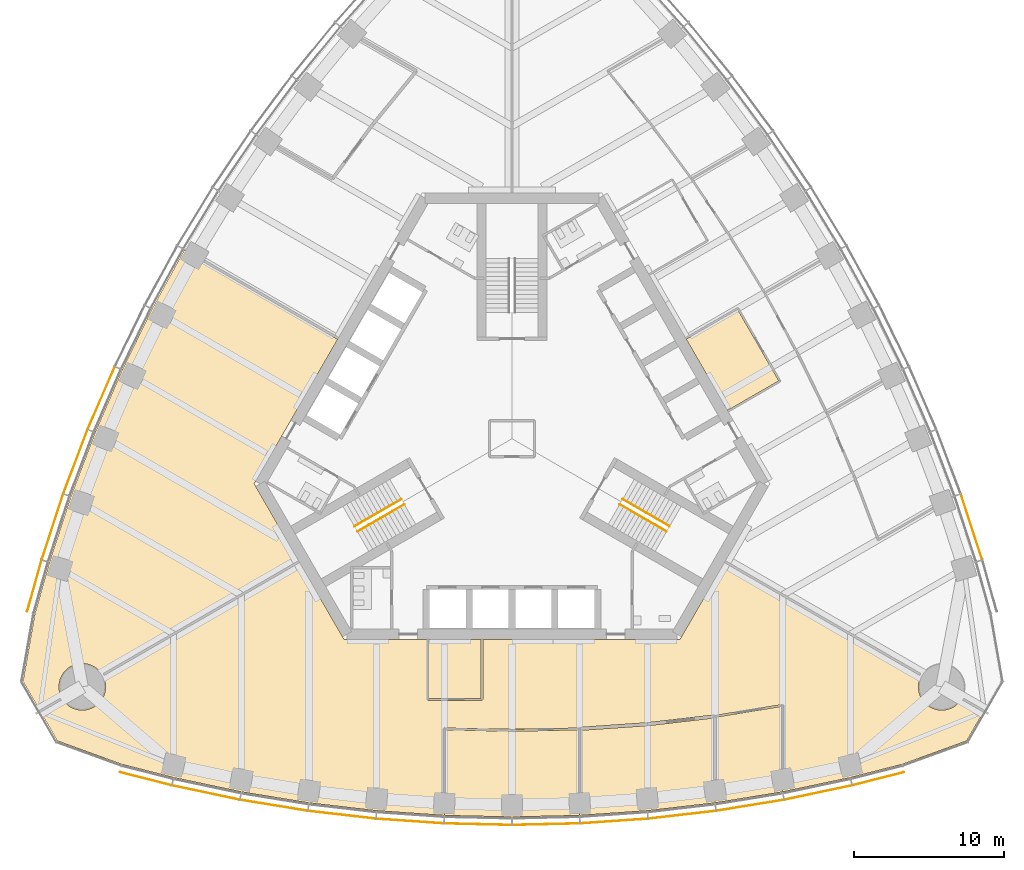
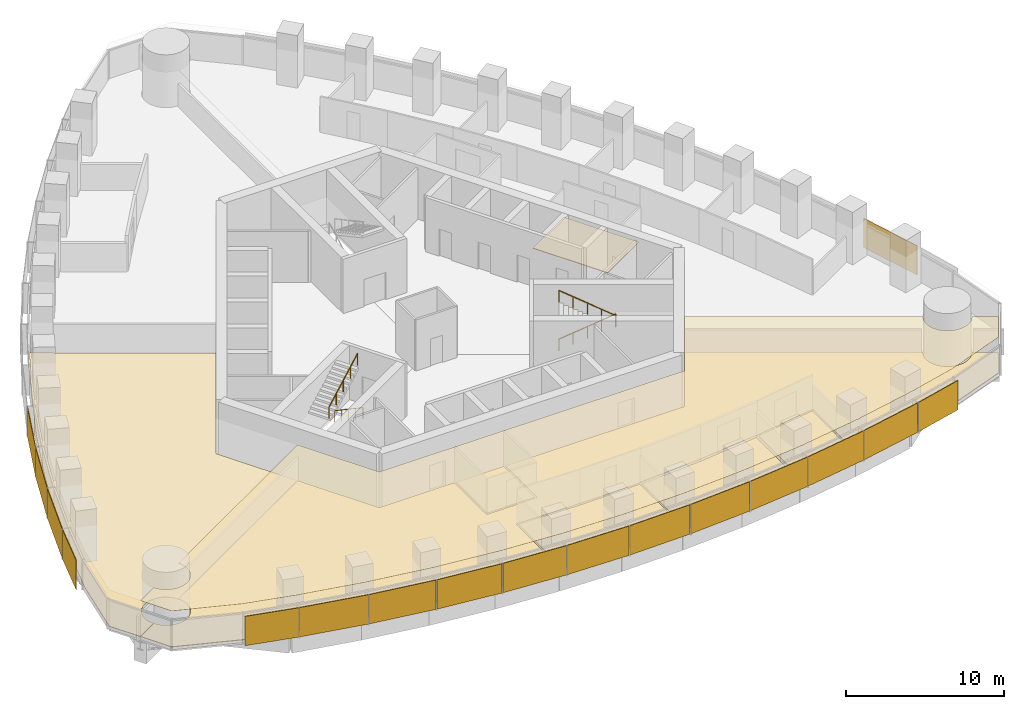
# One storey, part 15 of 19: 17 shading devices, 8 coverings, 4 railings.
"""IFC4 building model written with IfcOpenShell, lengths in metres."""

from ifc_helpers import new_model, si_unit, direction, frame, origin, origin_2d, place, context, subcontext, project, spatial, polyline, rectangle, circle, outline, extrude, material, layer, layer_set, type_object, element, save


model = new_model("IFC4")

# Units and contexts
model_context = context("Model", 3, precision=1e-05, world=origin(), true_north=direction((0.0, 1.0)))
body_context = subcontext(model_context, "Body", "Model", "MODEL_VIEW")
ifc_project = project(units=[si_unit("LENGTHUNIT", "METRE"), si_unit("AREAUNIT", "SQUARE_METRE"), si_unit("VOLUMEUNIT", "CUBIC_METRE"), si_unit("PLANEANGLEUNIT", "RADIAN"), si_unit("MASSUNIT", "GRAM", prefix="KILO")], contexts=[model_context])

# Site, building, storey
site_placement = place(None, origin())
site = spatial("IfcSite", under=ifc_project, at=site_placement, CompositionType="ELEMENT")
building_placement = place(site_placement, origin())
building = spatial("IfcBuilding", under=site, at=building_placement, Name="Trefoil Bronze Tower", CompositionType="ELEMENT")
storey_placement = place(building_placement, frame((0.0, 0.0, 261.10009765625)))
storey = spatial("IfcBuildingStorey", under=building, at=storey_placement, Name="L60", CompositionType="ELEMENT", Elevation=261.10009765625)

# Shading devices
ifc_material_1 = material(Name="Perforated bronze sheet", Category="bronze")
ifc_layer_1 = layer(ifc_material_1, 0.0400390625)
ifc_layer_set_1 = layer_set([ifc_layer_1], Name="Bronze solar screen panel")
shading_device_type = type_object("IfcShadingDeviceType", Name="Bronze solar screen panel", PredefinedType="SHUTTER", material=ifc_layer_set_1)
shading_device_1_placement = place(storey_placement, frame((-24.360107421875, -22.614501953125, 0.0498046875), z_axis=(0.0, 0.0, 1.0), x_axis=(0.968934035393, -0.247319297786, 0.0)))
element("IfcShadingDevice", 1, at=shading_device_1_placement, inside=storey, type_object=shading_device_type, Name="Solar screen CW-A L60 F1 bay 1", PredefinedType="SHUTTER", context=body_context, shape_type="SweptSolid", body=[
    extrude(rectangle(XDim=3.53369140625, YDim=0.0400390625, at=origin_2d()), origin(), (0.0, 0.0, 1.0), 2.27001953125),
])
shading_device_2_placement = place(storey_placement, frame((-20.361572265625, -23.535888671875, 0.0498046875), z_axis=(0.0, 0.0, 1.0), x_axis=(0.978394335897, -0.20674748725, 0.0)))
element("IfcShadingDevice", 2, at=shading_device_2_placement, inside=storey, type_object=shading_device_type, Name="Solar screen CW-A L60 F1 bay 2", PredefinedType="SHUTTER", context=body_context, shape_type="SweptSolid", body=[
    extrude(rectangle(XDim=4.5693359375, YDim=0.0400390625, at=origin_2d()), origin(), (0.0, 0.0, 1.0), 2.27001953125),
])
shading_device_3_placement = place(storey_placement, frame((-15.8369140625, -24.382568359375, 0.0498046875), z_axis=(0.0, 0.0, 1.0), x_axis=(0.986986549528, -0.160802832848, 0.0)))
element("IfcShadingDevice", 3, at=shading_device_3_placement, inside=storey, type_object=shading_device_type, Name="Solar screen CW-A L60 F1 bay 3", PredefinedType="SHUTTER", context=body_context, shape_type="SweptSolid", body=[
    extrude(rectangle(XDim=4.529296875, YDim=0.0400390625, at=origin_2d()), origin(), (0.0, 0.0, 1.0), 2.27001953125),
])
shading_device_4_placement = place(storey_placement, frame((-11.31201171875, -25.0126953125, 0.0498046875), z_axis=(0.0, 0.0, 1.0), x_axis=(0.993381831741, -0.114858767043, 0.0)))
element("IfcShadingDevice", 4, at=shading_device_4_placement, inside=storey, type_object=shading_device_type, Name="Solar screen CW-A L60 F1 bay 4", PredefinedType="SHUTTER", context=body_context, shape_type="SweptSolid", body=[
    extrude(rectangle(XDim=4.5, YDim=0.0400390625, at=origin_2d()), origin(), (0.0, 0.0, 1.0), 2.27001953125),
])
shading_device_5_placement = place(storey_placement, frame((-6.787109375, -25.430419921875, 0.0498046875), z_axis=(0.0, 0.0, 1.0), x_axis=(0.99762252804, -0.068915103905, 0.0)))
element("IfcShadingDevice", 5, at=shading_device_5_placement, inside=storey, type_object=shading_device_type, Name="Solar screen CW-A L60 F1 bay 5", PredefinedType="SHUTTER", context=body_context, shape_type="SweptSolid", body=[
    extrude(rectangle(XDim=4.480712890625, YDim=0.0400390625, at=origin_2d()), origin(), (0.0, 0.0, 1.0), 2.27001953125),
])
for number, where, z_axis, x_axis, name in (
    (6, (-2.262451171875, -25.638671875, 0.0498046875), (0.0, 0.0, 1.0), (0.999736116243, -0.022971675577, 0.0), "Solar screen CW-A L60 F1 bay 6"),
    (7, (2.262451171875, -25.638671875, 0.0498046875), (0.0, 0.0, 1.0), (0.999736116243, 0.022971675577, 0.0), "Solar screen CW-A L60 F1 bay 7"),
):
    element("IfcShadingDevice", number, at=place(storey_placement, frame(where, z_axis=z_axis, x_axis=x_axis)), inside=storey, type_object=shading_device_type, Name=name, PredefinedType="SHUTTER", context=body_context, shape_type="SweptSolid", body=[
        extrude(rectangle(XDim=4.47119140625, YDim=0.0400390625, at=origin_2d()), origin(), (0.0, 0.0, 1.0), 2.27001953125),
    ])
shading_device_6_placement = place(storey_placement, frame((6.787109375, -25.430419921875, 0.0498046875), z_axis=(0.0, 0.0, 1.0), x_axis=(0.99762252804, 0.068915103905, 0.0)))
element("IfcShadingDevice", 8, at=shading_device_6_placement, inside=storey, type_object=shading_device_type, Name="Solar screen CW-A L60 F1 bay 8", PredefinedType="SHUTTER", context=body_context, shape_type="SweptSolid", body=[
    extrude(rectangle(XDim=4.480712890625, YDim=0.0400390625, at=origin_2d()), origin(), (0.0, 0.0, 1.0), 2.27001953125),
])
shading_device_7_placement = place(storey_placement, frame((11.31201171875, -25.0126953125, 0.0498046875), z_axis=(0.0, 0.0, 1.0), x_axis=(0.993381831741, 0.114858767043, 0.0)))
element("IfcShadingDevice", 9, at=shading_device_7_placement, inside=storey, type_object=shading_device_type, Name="Solar screen CW-A L60 F1 bay 9", PredefinedType="SHUTTER", context=body_context, shape_type="SweptSolid", body=[
    extrude(rectangle(XDim=4.5, YDim=0.0400390625, at=origin_2d()), origin(), (0.0, 0.0, 1.0), 2.27001953125),
])
shading_device_8_placement = place(storey_placement, frame((15.8369140625, -24.382568359375, 0.0498046875), z_axis=(0.0, 0.0, 1.0), x_axis=(0.986986549528, 0.160802832848, 0.0)))
element("IfcShadingDevice", 10, at=shading_device_8_placement, inside=storey, type_object=shading_device_type, Name="Solar screen CW-A L60 F1 bay 10", PredefinedType="SHUTTER", context=body_context, shape_type="SweptSolid", body=[
    extrude(rectangle(XDim=4.529296875, YDim=0.0400390625, at=origin_2d()), origin(), (0.0, 0.0, 1.0), 2.27001953125),
])
shading_device_9_placement = place(storey_placement, frame((20.361572265625, -23.535888671875, 0.0498046875), z_axis=(0.0, 0.0, 1.0), x_axis=(0.978394335897, 0.20674748725, 0.0)))
element("IfcShadingDevice", 11, at=shading_device_9_placement, inside=storey, type_object=shading_device_type, Name="Solar screen CW-A L60 F1 bay 11", PredefinedType="SHUTTER", context=body_context, shape_type="SweptSolid", body=[
    extrude(rectangle(XDim=4.5693359375, YDim=0.0400390625, at=origin_2d()), origin(), (0.0, 0.0, 1.0), 2.27001953125),
])
shading_device_10_placement = place(storey_placement, frame((24.360107421875, -22.614501953125, 0.0498046875), z_axis=(0.0, 0.0, 1.0), x_axis=(0.968934035393, 0.247319297786, 0.0)))
element("IfcShadingDevice", 12, at=shading_device_10_placement, inside=storey, type_object=shading_device_type, Name="Solar screen CW-A L60 F1 bay 12", PredefinedType="SHUTTER", context=body_context, shape_type="SweptSolid", body=[
    extrude(rectangle(XDim=3.53369140625, YDim=0.0400390625, at=origin_2d()), origin(), (0.0, 0.0, 1.0), 2.27001953125),
])
shading_device_11_placement = place(storey_placement, frame((30.5634765625, -5.86572265625, 0.0498046875), z_axis=(0.0, 0.0, 1.0), x_axis=(-0.310148591821, 0.950688093431, 0.0)))
element("IfcShadingDevice", 13, at=shading_device_11_placement, inside=storey, type_object=shading_device_type, Name="Solar screen CW-A L60 F2 bay 2", PredefinedType="SHUTTER", context=body_context, shape_type="SweptSolid", body=[
    extrude(rectangle(XDim=4.5693359375, YDim=0.0400390625, at=origin_2d()), origin(), (0.0, 0.0, 1.0), 2.27001953125),
])
shading_device_12_placement = place(storey_placement, frame((-27.317626953125, 2.709716796875, 0.0498046875), z_axis=(0.0, 0.0, 1.0), x_axis=(-0.397220305764, -0.917723285467, 0.0)))
element("IfcShadingDevice", 14, at=shading_device_12_placement, inside=storey, type_object=shading_device_type, Name="Solar screen CW-A L60 F3 bay 9", PredefinedType="SHUTTER", context=body_context, shape_type="SweptSolid", body=[
    extrude(rectangle(XDim=4.5, YDim=0.0400390625, at=origin_2d()), origin(), (0.0, 0.0, 1.0), 2.27001953125),
])
shading_device_13_placement = place(storey_placement, frame((-29.0341796875, -1.52392578125, 0.0498046875), z_axis=(0.0, 0.0, 1.0), x_axis=(-0.354233936517, -0.935156841508, 0.0)))
element("IfcShadingDevice", 15, at=shading_device_13_placement, inside=storey, type_object=shading_device_type, Name="Solar screen CW-A L60 F3 bay 10", PredefinedType="SHUTTER", context=body_context, shape_type="SweptSolid", body=[
    extrude(rectangle(XDim=4.529296875, YDim=0.0400390625, at=origin_2d()), origin(), (0.0, 0.0, 1.0), 2.27001953125),
])
shading_device_14_placement = place(storey_placement, frame((-30.5634765625, -5.86572265625, 0.0498046875), z_axis=(0.0, 0.0, 1.0), x_axis=(-0.310148591821, -0.950688093431, 0.0)))
element("IfcShadingDevice", 16, at=shading_device_14_placement, inside=storey, type_object=shading_device_type, Name="Solar screen CW-A L60 F3 bay 11", PredefinedType="SHUTTER", context=body_context, shape_type="SweptSolid", body=[
    extrude(rectangle(XDim=4.5693359375, YDim=0.0400390625, at=origin_2d()), origin(), (0.0, 0.0, 1.0), 2.27001953125),
])
shading_device_15_placement = place(storey_placement, frame((-31.764892578125, -9.7890625, 0.0498046875), z_axis=(0.0, 0.0, 1.0), x_axis=(-0.270282222968, -0.962781138134, 0.0)))
element("IfcShadingDevice", 17, at=shading_device_15_placement, inside=storey, type_object=shading_device_type, Name="Solar screen CW-A L60 F3 bay 12", PredefinedType="SHUTTER", context=body_context, shape_type="SweptSolid", body=[
    extrude(rectangle(XDim=3.53369140625, YDim=0.0400390625, at=origin_2d()), origin(), (0.0, 0.0, 1.0), 2.27001953125),
])

# Railings
ifc_material_2 = material(Name="Steel handrail", Category="steel")
railing_type = type_object("IfcRailingType", Name="Handrail 900", PredefinedType="HANDRAIL", material=ifc_material_2)
railing_1_placement = place(storey_placement, frame((7.365966796875, -4.021728515625, 0.161376953125)))
element("IfcRailing", 18, at=railing_1_placement, inside=storey, type_object=railing_type, Name="Handrail ST1 flight 1 L60", PredefinedType="HANDRAIL", context=body_context, shape_type="SweptSolid", body=[
    extrude(circle(Radius=0.02392578125, at=origin_2d()), frame((0.0, 0.0, 0.8759765625), z_axis=(0.76250339821, -0.440245697338, 0.474101564745), x_axis=(0.500012057535, 0.866018442252, 0.0)), (0.0, 0.0, 1.0), 4.088623046875),
    extrude(circle(Radius=0.02099609375, at=origin_2d()), origin(), (0.0, 0.0, 1.0), 0.851806640625),
    extrude(circle(Radius=0.02099609375, at=origin_2d()), frame((0.779296875, -0.449951171875, 0.484619140625)), (0.0, 0.0, 1.0), 0.851806640625),
    extrude(circle(Radius=0.02099609375, at=origin_2d()), frame((1.558837890625, -0.89990234375, 0.96923828125)), (0.0, 0.0, 1.0), 0.851806640625),
    extrude(circle(Radius=0.02099609375, at=origin_2d()), frame((2.33837890625, -1.35009765625, 1.453857421875)), (0.0, 0.0, 1.0), 0.851806640625),
    extrude(circle(Radius=0.02099609375, at=origin_2d()), frame((3.11767578125, -1.800048828125, 1.9384765625)), (0.0, 0.0, 1.0), 0.851806640625),
])
railing_2_placement = place(storey_placement, frame((10.28369140625, -6.168212890625, 2.261474609375)))
element("IfcRailing", 19, at=railing_2_placement, inside=storey, type_object=railing_type, Name="Handrail ST1 flight 2 L60", PredefinedType="HANDRAIL", context=body_context, shape_type="SweptSolid", body=[
    extrude(circle(Radius=0.02392578125, at=origin_2d()), frame((0.0, 0.0, 0.8759765625), z_axis=(-0.76250339821, 0.440245697338, 0.474101564745), x_axis=(-0.500012057535, -0.866018442252, 0.0)), (0.0, 0.0, 1.0), 4.088623046875),
    extrude(circle(Radius=0.02099609375, at=origin_2d()), origin(), (0.0, 0.0, 1.0), 0.851806640625),
    extrude(circle(Radius=0.02099609375, at=origin_2d()), frame((-0.779296875, 0.449951171875, 0.484619140625)), (0.0, 0.0, 1.0), 0.851806640625),
    extrude(circle(Radius=0.02099609375, at=origin_2d()), frame((-1.558837890625, 0.89990234375, 0.96923828125)), (0.0, 0.0, 1.0), 0.851806640625),
    extrude(circle(Radius=0.02099609375, at=origin_2d()), frame((-2.33837890625, 1.35009765625, 1.453857421875)), (0.0, 0.0, 1.0), 0.851806640625),
    extrude(circle(Radius=0.02099609375, at=origin_2d()), frame((-3.11767578125, 1.800048828125, 1.9384765625)), (0.0, 0.0, 1.0), 0.851806640625),
])
railing_3_placement = place(storey_placement, frame((-7.166015625, -4.3681640625, 0.161376953125)))
element("IfcRailing", 20, at=railing_3_placement, inside=storey, type_object=railing_type, Name="Handrail ST3 flight 1 L60", PredefinedType="HANDRAIL", context=body_context, shape_type="SweptSolid", body=[
    extrude(circle(Radius=0.02392578125, at=origin_2d()), frame((0.0, 0.0, 0.8759765625), z_axis=(-0.76250339821, -0.440245697338, 0.474101564745), x_axis=(0.500012057535, -0.866018442252, 0.0)), (0.0, 0.0, 1.0), 4.088623046875),
    extrude(circle(Radius=0.02099609375, at=origin_2d()), origin(), (0.0, 0.0, 1.0), 0.851806640625),
    extrude(circle(Radius=0.02099609375, at=origin_2d()), frame((-0.779296875, -0.449951171875, 0.484619140625)), (0.0, 0.0, 1.0), 0.851806640625),
    extrude(circle(Radius=0.02099609375, at=origin_2d()), frame((-1.558837890625, -0.89990234375, 0.96923828125)), (0.0, 0.0, 1.0), 0.851806640625),
    extrude(circle(Radius=0.02099609375, at=origin_2d()), frame((-2.33837890625, -1.35009765625, 1.453857421875)), (0.0, 0.0, 1.0), 0.851806640625),
    extrude(circle(Radius=0.02099609375, at=origin_2d()), frame((-3.11767578125, -1.800048828125, 1.9384765625)), (0.0, 0.0, 1.0), 0.851806640625),
])
railing_4_placement = place(storey_placement, frame((-10.483642578125, -5.82177734375, 2.261474609375)))
element("IfcRailing", 21, at=railing_4_placement, inside=storey, type_object=railing_type, Name="Handrail ST3 flight 2 L60", PredefinedType="HANDRAIL", context=body_context, shape_type="SweptSolid", body=[
    extrude(circle(Radius=0.02392578125, at=origin_2d()), frame((0.0, 0.0, 0.8759765625), z_axis=(0.76250339821, 0.440245697338, 0.474101564745), x_axis=(-0.500012057535, 0.866018442252, 0.0)), (0.0, 0.0, 1.0), 4.088623046875),
    extrude(circle(Radius=0.02099609375, at=origin_2d()), origin(), (0.0, 0.0, 1.0), 0.851806640625),
    extrude(circle(Radius=0.02099609375, at=origin_2d()), frame((0.779296875, 0.449951171875, 0.484619140625)), (0.0, 0.0, 1.0), 0.851806640625),
    extrude(circle(Radius=0.02099609375, at=origin_2d()), frame((1.558837890625, 0.89990234375, 0.96923828125)), (0.0, 0.0, 1.0), 0.851806640625),
    extrude(circle(Radius=0.02099609375, at=origin_2d()), frame((2.33837890625, 1.35009765625, 1.453857421875)), (0.0, 0.0, 1.0), 0.851806640625),
    extrude(circle(Radius=0.02099609375, at=origin_2d()), frame((3.11767578125, 1.800048828125, 1.9384765625)), (0.0, 0.0, 1.0), 0.851806640625),
])

# Coverings
ifc_material_3 = material(Name="Acoustic ceiling panels", Category="mineral fibre")
ifc_layer_2 = layer(ifc_material_3, 0.02001953125)
ifc_layer_set_2 = layer_set([ifc_layer_2], Name="Office ceiling 20")
covering_type_1 = type_object("IfcCoveringType", Name="Office ceiling 20", PredefinedType="CEILING", material=ifc_layer_set_2)
covering_1_placement = place(storey_placement, frame((0.0, 0.0, 2.89990234375)))
element("IfcCovering", 22, at=covering_1_placement, inside=storey, type_object=covering_type_1, Name="Ceiling L60 PA area F1", PredefinedType="CEILING", context=body_context, shape_type="SweptSolid", body=[
    extrude(outline(polyline([(-29.86767578125, -17.361083984375), (-29.82373046875, -17.42333984375), (-29.777099609375, -17.4833984375), (-29.727294921875, -17.541015625), (-29.6748046875, -17.595947265625), (-29.619873046875, -17.6484375), (-29.56201171875, -17.6982421875), (-29.502197265625, -17.7451171875), (-29.43994140625, -17.788818359375), (-29.375732421875, -17.82958984375), (-29.3095703125, -17.866943359375), (-29.241455078125, -17.901123046875), (-29.172119140625, -17.931884765625), (-29.10107421875, -17.95947265625), (-29.02880859375, -17.9833984375), (-28.95556640625, -18.00341796875), (-28.881103515625, -18.020263671875), (-28.806396484375, -18.033203125), (-28.730712890625, -18.04248046875), (-28.65478515625, -18.048095703125), (-28.578857421875, -18.050048828125), (-28.502685546875, -18.048095703125), (-28.427001953125, -18.04248046875), (-28.351318359375, -18.033203125), (-28.2763671875, -18.020263671875), (-28.2021484375, -18.00341796875), (-28.12890625, -17.9833984375), (-28.056640625, -17.95947265625), (-27.985595703125, -17.931884765625), (-27.916015625, -17.901123046875), (-27.84814453125, -17.866943359375), (-27.781982421875, -17.82958984375), (-27.7177734375, -17.788818359375), (-27.655517578125, -17.7451171875), (-27.595458984375, -17.6982421875), (-27.537841796875, -17.6484375), (-27.48291015625, -17.595947265625), (-27.430419921875, -17.541015625), (-27.380615234375, -17.4833984375), (-27.333984375, -17.42333984375), (-27.2900390625, -17.361083984375), (-27.24951171875, -17.296875), (-27.2119140625, -17.230712890625), (-27.177734375, -17.16259765625), (-27.146728515625, -17.09326171875), (-27.119384765625, -17.022216796875), (-27.095703125, -16.949951171875), (-27.0751953125, -16.876708984375), (-27.05859375, -16.802490234375), (-27.045654296875, -16.727294921875), (-27.036376953125, -16.65185546875), (-27.03076171875, -16.576171875), (-27.02880859375, -16.5), (-27.03076171875, -16.423828125), (-27.036376953125, -16.34814453125), (-27.045654296875, -16.272705078125), (-27.05859375, -16.197509765625), (-27.0751953125, -16.123291015625), (-27.095703125, -16.050048828125), (-27.119384765625, -15.977783203125), (-27.146728515625, -15.90673828125), (-27.177734375, -15.83740234375), (-27.2119140625, -15.769287109375), (-27.23095703125, -15.735595703125), (-14.156494140625, -8.180419921875), (-11.171630859375, -13.35009765625), (11.171630859375, -13.35009765625), (14.156494140625, -8.180419921875), (27.23095703125, -15.735595703125), (27.2119140625, -15.769287109375), (27.177734375, -15.83740234375), (27.146728515625, -15.90673828125), (27.119384765625, -15.977783203125), (27.095703125, -16.050048828125), (27.0751953125, -16.123291015625), (27.05859375, -16.197509765625), (27.045654296875, -16.272705078125), (27.036376953125, -16.34814453125), (27.03076171875, -16.423828125), (27.02880859375, -16.5), (27.03076171875, -16.576171875), (27.036376953125, -16.65185546875), (27.045654296875, -16.727294921875), (27.05859375, -16.802490234375), (27.0751953125, -16.876708984375), (27.095703125, -16.949951171875), (27.119384765625, -17.022216796875), (27.146728515625, -17.09326171875), (27.177734375, -17.16259765625), (27.2119140625, -17.230712890625), (27.24951171875, -17.296875), (27.2900390625, -17.361083984375), (27.333984375, -17.42333984375), (27.380615234375, -17.4833984375), (27.430419921875, -17.541015625), (27.48291015625, -17.595947265625), (27.537841796875, -17.6484375), (27.595458984375, -17.6982421875), (27.655517578125, -17.7451171875), (27.7177734375, -17.788818359375), (27.781982421875, -17.82958984375), (27.84814453125, -17.866943359375), (27.916015625, -17.901123046875), (27.985595703125, -17.931884765625), (28.056640625, -17.95947265625), (28.12890625, -17.9833984375), (28.2021484375, -18.00341796875), (28.2763671875, -18.020263671875), (28.351318359375, -18.033203125), (28.427001953125, -18.04248046875), (28.502685546875, -18.048095703125), (28.578857421875, -18.050048828125), (28.65478515625, -18.048095703125), (28.730712890625, -18.04248046875), (28.806396484375, -18.033203125), (28.881103515625, -18.020263671875), (28.95556640625, -18.00341796875), (29.02880859375, -17.9833984375), (29.10107421875, -17.95947265625), (29.172119140625, -17.931884765625), (29.241455078125, -17.901123046875), (29.3095703125, -17.866943359375), (29.375732421875, -17.82958984375), (29.43994140625, -17.788818359375), (29.502197265625, -17.7451171875), (29.56201171875, -17.6982421875), (29.619873046875, -17.6484375), (29.6748046875, -17.595947265625), (29.727294921875, -17.541015625), (29.777099609375, -17.4833984375), (29.82373046875, -17.42333984375), (29.86767578125, -17.361083984375), (29.914306640625, -17.2861328125), (31.37158203125, -18.1279296875), (30.23828125, -20.0908203125), (25.952880859375, -21.650634765625), (22.5, -22.531982421875), (18.0, -23.48291015625), (13.5, -24.216064453125), (9.0, -24.736328125), (4.5, -25.047119140625), (0.0, -25.150634765625), (-4.5, -25.047119140625), (-9.0, -24.736328125), (-13.5, -24.216064453125), (-18.0, -23.48291015625), (-22.5, -22.531982421875), (-25.952880859375, -21.650634765625), (-30.23828125, -20.0908203125), (-31.37158203125, -18.1279296875), (-29.914306640625, -17.2861328125), (-29.86767578125, -17.361083984375)])), origin(), (0.0, 0.0, 1.0), 0.02001953125),
])
ifc_material_4 = material(Name="Raised access floor panels", Category="steel")
ifc_layer_3 = layer(ifc_material_4, 0.050048828125)
ifc_layer_set_3 = layer_set([ifc_layer_3], Name="Raised access floor 150")
covering_type_2 = type_object("IfcCoveringType", Name="Raised access floor 150", PredefinedType="FLOORING", material=ifc_layer_set_3)
covering_2_placement = place(storey_placement, frame((0.0, 0.0, 0.099853515625)))
element("IfcCovering", 23, at=covering_2_placement, inside=storey, type_object=covering_type_2, Name="Raised floor L60 Meeting room F1", PredefinedType="FLOORING", context=body_context, shape_type="SweptSolid", body=[
    extrude(outline(polyline([(-2.06005859375, -13.35009765625), (-2.06005859375, -17.2900390625), (-5.5400390625, -17.2900390625), (-5.5400390625, -13.35009765625), (-2.06005859375, -13.35009765625)])), origin(), (0.0, 0.0, 1.0), 0.050048828125),
])
covering_3_placement = place(storey_placement, frame((0.0, 0.0, 0.099853515625)))
element("IfcCovering", 24, at=covering_3_placement, inside=storey, type_object=covering_type_2, Name="Raised floor L60 Chairman's office F1", PredefinedType="FLOORING", context=body_context, shape_type="SweptSolid", body=[
    extrude(outline(polyline([(0.0, -25.150634765625), (-4.5, -25.047119140625), (-4.5, -23.515625), (-4.43994140625, -23.515625), (-4.43994140625, -19.358642578125), (-0.00146484375, -19.460693359375), (0.0, -19.400634765625), (0.00146484375, -19.460693359375), (4.43994140625, -19.358642578125), (4.43994140625, -23.515625), (4.5, -23.515625), (4.5, -25.047119140625), (0.0, -25.150634765625)])), origin(), (0.0, 0.0, 1.0), 0.050048828125),
])
covering_4_placement = place(storey_placement, frame((0.0, 0.0, 0.099853515625)))
element("IfcCovering", 25, at=covering_4_placement, inside=storey, type_object=covering_type_2, Name="Raised floor L60 Private dining room F1", PredefinedType="FLOORING", context=body_context, shape_type="SweptSolid", body=[
    extrude(outline(polyline([(9.0, -24.736328125), (4.5, -25.047119140625), (4.5, -23.515625), (4.56005859375, -23.515625), (4.56005859375, -19.393310546875), (9.0068359375, -19.086181640625), (9.0, -18.986328125), (9.011474609375, -19.085693359375), (13.39990234375, -18.578369140625), (13.39990234375, -22.67138671875), (13.5, -22.67138671875), (13.5, -24.216064453125), (9.0, -24.736328125)])), origin(), (0.0, 0.0, 1.0), 0.050048828125),
])
covering_5_placement = place(storey_placement, frame((0.0, 0.0, 0.099853515625)))
element("IfcCovering", 26, at=covering_5_placement, inside=storey, type_object=covering_type_2, Name="Raised floor L60 Servery F1", PredefinedType="FLOORING", context=body_context, shape_type="SweptSolid", body=[
    extrude(outline(polyline([(18.0, -23.48291015625), (13.5, -24.216064453125), (13.5, -22.67138671875), (13.60009765625, -22.67138671875), (13.60009765625, -18.510498046875), (17.93994140625, -17.803466796875), (17.93994140625, -21.926513671875), (18.0, -21.926513671875), (18.0, -23.48291015625)])), origin(), (0.0, 0.0, 1.0), 0.050048828125),
])
covering_6_placement = place(storey_placement, frame((0.0, 0.0, 0.099853515625)))
element("IfcCovering", 27, at=covering_6_placement, inside=storey, type_object=covering_type_2, Name="Raised floor L60 PA area F1", PredefinedType="FLOORING", context=body_context, shape_type="SweptSolid", body=[
    extrude(outline(polyline([(-11.171630859375, -13.35009765625), (-5.659912109375, -13.35009765625), (-5.659912109375, -17.35009765625), (-5.60009765625, -17.35009765625), (-5.60009765625, -17.409912109375), (-2.0, -17.409912109375), (-2.0, -17.35009765625), (-1.93994140625, -17.35009765625), (-1.93994140625, -13.35009765625), (11.171630859375, -13.35009765625), (14.156494140625, -8.180419921875), (27.23095703125, -15.735595703125), (27.2119140625, -15.769287109375), (27.177734375, -15.83740234375), (27.146728515625, -15.90673828125), (27.119384765625, -15.977783203125), (27.095703125, -16.050048828125), (27.0751953125, -16.123291015625), (27.05859375, -16.197509765625), (27.045654296875, -16.272705078125), (27.036376953125, -16.34814453125), (27.03076171875, -16.423828125), (27.02880859375, -16.5), (27.03076171875, -16.576171875), (27.036376953125, -16.65185546875), (27.045654296875, -16.727294921875), (27.05859375, -16.802490234375), (27.0751953125, -16.876708984375), (27.095703125, -16.949951171875), (27.119384765625, -17.022216796875), (27.146728515625, -17.09326171875), (27.177734375, -17.16259765625), (27.2119140625, -17.230712890625), (27.24951171875, -17.296875), (27.2900390625, -17.361083984375), (27.333984375, -17.42333984375), (27.380615234375, -17.4833984375), (27.430419921875, -17.541015625), (27.48291015625, -17.595947265625), (27.537841796875, -17.6484375), (27.595458984375, -17.6982421875), (27.655517578125, -17.7451171875), (27.7177734375, -17.788818359375), (27.781982421875, -17.82958984375), (27.84814453125, -17.866943359375), (27.916015625, -17.901123046875), (27.985595703125, -17.931884765625), (28.056640625, -17.95947265625), (28.12890625, -17.9833984375), (28.2021484375, -18.00341796875), (28.2763671875, -18.020263671875), (28.351318359375, -18.033203125), (28.427001953125, -18.04248046875), (28.502685546875, -18.048095703125), (28.578857421875, -18.050048828125), (28.65478515625, -18.048095703125), (28.730712890625, -18.04248046875), (28.806396484375, -18.033203125), (28.881103515625, -18.020263671875), (28.95556640625, -18.00341796875), (29.02880859375, -17.9833984375), (29.10107421875, -17.95947265625), (29.172119140625, -17.931884765625), (29.241455078125, -17.901123046875), (29.3095703125, -17.866943359375), (29.375732421875, -17.82958984375), (29.43994140625, -17.788818359375), (29.502197265625, -17.7451171875), (29.56201171875, -17.6982421875), (29.619873046875, -17.6484375), (29.6748046875, -17.595947265625), (29.727294921875, -17.541015625), (29.777099609375, -17.4833984375), (29.82373046875, -17.42333984375), (29.86767578125, -17.361083984375), (29.914306640625, -17.2861328125), (31.37158203125, -18.1279296875), (30.23828125, -20.0908203125), (25.952880859375, -21.650634765625), (22.5, -22.531982421875), (18.0, -23.48291015625), (18.0, -21.926513671875), (18.06005859375, -21.926513671875), (18.06005859375, -17.73291015625), (18.0, -17.73291015625), (17.990478515625, -17.673583984375), (13.4931640625, -18.406494140625), (13.488525390625, -18.36669921875), (9.17431640625, -18.865478515625), (8.80712890625, -18.8994140625), (4.4931640625, -19.197509765625), (4.495849609375, -19.2373046875), (1.88818359375, -19.297119140625), (-1.88818359375, -19.297119140625), (-4.49853515625, -19.2373046875), (-4.5, -19.297119140625), (-4.56005859375, -19.297119140625), (-4.56005859375, -23.515625), (-4.5, -23.515625), (-4.5, -25.047119140625), (-9.0, -24.736328125), (-13.5, -24.216064453125), (-18.0, -23.48291015625), (-22.5, -22.531982421875), (-25.952880859375, -21.650634765625), (-30.23828125, -20.0908203125), (-31.37158203125, -18.1279296875), (-29.914306640625, -17.2861328125), (-29.86767578125, -17.361083984375), (-29.82373046875, -17.42333984375), (-29.777099609375, -17.4833984375), (-29.727294921875, -17.541015625), (-29.6748046875, -17.595947265625), (-29.619873046875, -17.6484375), (-29.56201171875, -17.6982421875), (-29.502197265625, -17.7451171875), (-29.43994140625, -17.788818359375), (-29.375732421875, -17.82958984375), (-29.3095703125, -17.866943359375), (-29.241455078125, -17.901123046875), (-29.172119140625, -17.931884765625), (-29.10107421875, -17.95947265625), (-29.02880859375, -17.9833984375), (-28.95556640625, -18.00341796875), (-28.881103515625, -18.020263671875), (-28.806396484375, -18.033203125), (-28.730712890625, -18.04248046875), (-28.65478515625, -18.048095703125), (-28.578857421875, -18.050048828125), (-28.502685546875, -18.048095703125), (-28.427001953125, -18.04248046875), (-28.351318359375, -18.033203125), (-28.2763671875, -18.020263671875), (-28.2021484375, -18.00341796875), (-28.12890625, -17.9833984375), (-28.056640625, -17.95947265625), (-27.985595703125, -17.931884765625), (-27.916015625, -17.901123046875), (-27.84814453125, -17.866943359375), (-27.781982421875, -17.82958984375), (-27.7177734375, -17.788818359375), (-27.655517578125, -17.7451171875), (-27.595458984375, -17.6982421875), (-27.537841796875, -17.6484375), (-27.48291015625, -17.595947265625), (-27.430419921875, -17.541015625), (-27.380615234375, -17.4833984375), (-27.333984375, -17.42333984375), (-27.2900390625, -17.361083984375), (-27.24951171875, -17.296875), (-27.2119140625, -17.230712890625), (-27.177734375, -17.16259765625), (-27.146728515625, -17.09326171875), (-27.119384765625, -17.022216796875), (-27.095703125, -16.949951171875), (-27.0751953125, -16.876708984375), (-27.05859375, -16.802490234375), (-27.045654296875, -16.727294921875), (-27.036376953125, -16.65185546875), (-27.03076171875, -16.576171875), (-27.02880859375, -16.5), (-27.03076171875, -16.423828125), (-27.036376953125, -16.34814453125), (-27.045654296875, -16.272705078125), (-27.05859375, -16.197509765625), (-27.0751953125, -16.123291015625), (-27.095703125, -16.050048828125), (-27.119384765625, -15.977783203125), (-27.146728515625, -15.90673828125), (-27.177734375, -15.83740234375), (-27.2119140625, -15.769287109375), (-27.23095703125, -15.735595703125), (-14.156494140625, -8.180419921875), (-11.171630859375, -13.35009765625)])), origin(), (0.0, 0.0, 1.0), 0.050048828125),
])
covering_7_placement = place(storey_placement, frame((0.0, 0.0, 0.099853515625)))
element("IfcCovering", 28, at=covering_7_placement, inside=storey, type_object=covering_type_2, Name="Raised floor L60 Meeting room F2", PredefinedType="FLOORING", context=body_context, shape_type="SweptSolid", body=[
    extrude(outline(polyline([(11.59130859375, 6.623046875), (15.003662109375, 8.593017578125), (17.74365234375, 3.84716796875), (14.331298828125, 1.877197265625), (11.59130859375, 6.623046875)])), origin(), (0.0, 0.0, 1.0), 0.050048828125),
])
covering_8_placement = place(storey_placement, frame((0.0, 0.0, 0.099853515625)))
element("IfcCovering", 29, at=covering_8_placement, inside=storey, type_object=covering_type_2, Name="Raised floor L60 PA area F3", PredefinedType="FLOORING", context=body_context, shape_type="SweptSolid", body=[
    extrude(outline(polyline([(-25.92236328125, 4.573974609375), (-23.94140625, 8.62646484375), (-21.781494140625, 12.574462890625), (-20.45654296875, 11.8095703125), (-20.49365234375, 11.745361328125), (-11.607666015625, 6.614990234375), (-11.570556640625, 6.67919921875), (-11.56201171875, 6.674072265625), (-17.147216796875, -3.0), (-14.16259765625, -8.169677734375), (-27.24267578125, -15.71484375), (-27.2900390625, -15.638916015625), (-27.333984375, -15.57666015625), (-27.380615234375, -15.5166015625), (-27.430419921875, -15.458984375), (-27.48291015625, -15.404052734375), (-27.537841796875, -15.3515625), (-27.595458984375, -15.3017578125), (-27.655517578125, -15.2548828125), (-27.7177734375, -15.211181640625), (-27.781982421875, -15.17041015625), (-27.84814453125, -15.133056640625), (-27.916015625, -15.098876953125), (-27.985595703125, -15.068115234375), (-28.056640625, -15.04052734375), (-28.12890625, -15.0166015625), (-28.2021484375, -14.99658203125), (-28.2763671875, -14.979736328125), (-28.351318359375, -14.966796875), (-28.427001953125, -14.95751953125), (-28.502685546875, -14.951904296875), (-28.578857421875, -14.949951171875), (-28.65478515625, -14.951904296875), (-28.730712890625, -14.95751953125), (-28.806396484375, -14.966796875), (-28.881103515625, -14.979736328125), (-28.95556640625, -14.99658203125), (-29.02880859375, -15.0166015625), (-29.10107421875, -15.04052734375), (-29.172119140625, -15.068115234375), (-29.241455078125, -15.098876953125), (-29.3095703125, -15.133056640625), (-29.375732421875, -15.17041015625), (-29.43994140625, -15.211181640625), (-29.502197265625, -15.2548828125), (-29.56201171875, -15.3017578125), (-29.619873046875, -15.3515625), (-29.6748046875, -15.404052734375), (-29.727294921875, -15.458984375), (-29.777099609375, -15.5166015625), (-29.82373046875, -15.57666015625), (-29.86767578125, -15.638916015625), (-29.908203125, -15.703125), (-29.94580078125, -15.769287109375), (-29.97998046875, -15.83740234375), (-30.010986328125, -15.90673828125), (-30.0380859375, -15.977783203125), (-30.06201171875, -16.050048828125), (-30.08251953125, -16.123291015625), (-30.09912109375, -16.197509765625), (-30.112060546875, -16.272705078125), (-30.121337890625, -16.34814453125), (-30.126953125, -16.423828125), (-30.12890625, -16.5), (-30.126953125, -16.576171875), (-30.121337890625, -16.65185546875), (-30.112060546875, -16.727294921875), (-30.09912109375, -16.802490234375), (-30.08251953125, -16.876708984375), (-30.06201171875, -16.949951171875), (-30.0380859375, -17.022216796875), (-30.010986328125, -17.09326171875), (-29.97998046875, -17.16259765625), (-29.94580078125, -17.230712890625), (-29.92724609375, -17.263427734375), (-31.385009765625, -18.1044921875), (-32.518310546875, -16.1416015625), (-31.7265625, -11.650634765625), (-30.76318359375, -8.219482421875), (-29.3369140625, -3.846923828125), (-27.7216796875, 0.416748046875), (-25.92236328125, 4.573974609375)])), origin(), (0.0, 0.0, 1.0), 0.050048828125),
])

save(model, "model.ifc")
